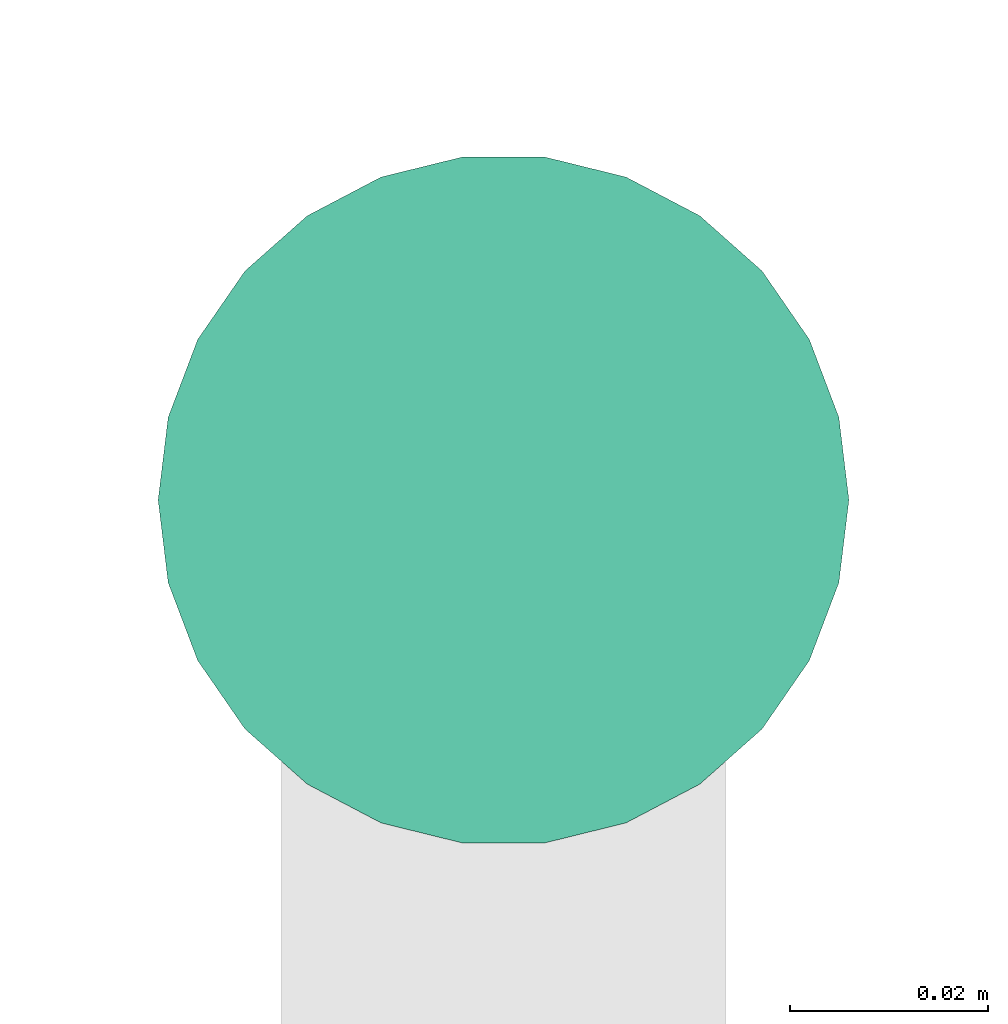
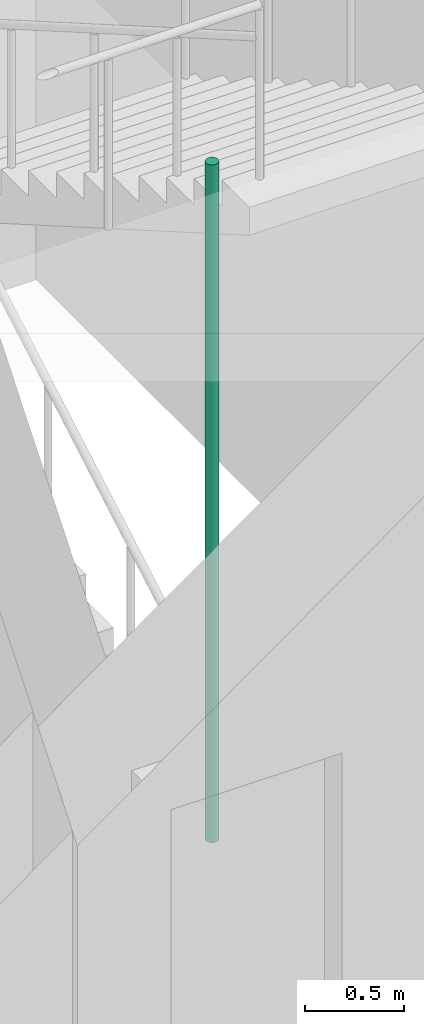
# One storey, part 23 of 26: 1 pipe segment.
"""IFC4 building model written with IfcOpenShell, lengths in metres."""

from ifc_helpers import new_model, si_unit, direction, frame, origin, origin_2d, place, context, subcontext, project, spatial, circle, extrude, element, save


model = new_model("IFC4")

# Units and contexts
model_context = context("Model", 3, precision=1e-05, world=origin(), true_north=direction((0.0, 1.0)))
body_context = subcontext(model_context, "Body", "Model", "MODEL_VIEW")
ifc_project = project(units=[si_unit("LENGTHUNIT", "METRE"), si_unit("AREAUNIT", "SQUARE_METRE"), si_unit("VOLUMEUNIT", "CUBIC_METRE"), si_unit("PLANEANGLEUNIT", "RADIAN"), si_unit("MASSUNIT", "GRAM", prefix="KILO")], contexts=[model_context])

# Site, building, storey
site_placement = place(None, origin())
site = spatial("IfcSite", under=ifc_project, at=site_placement, CompositionType="ELEMENT")
building_placement = place(site_placement, origin())
building = spatial("IfcBuilding", under=site, at=building_placement, Name="Nzadi Deep Aquarium and Research Tower", CompositionType="ELEMENT")
storey_placement = place(building_placement, frame((0.0, 0.0, 78.10009765625)))
storey = spatial("IfcBuildingStorey", under=building, at=storey_placement, Name="L16", CompositionType="ELEMENT", Elevation=78.10009765625)

# Pipe segment
pipe_segment_placement = place(storey_placement, frame((25.10009765625, 13.719970703125, 0.0), z_axis=(0.0, 0.0, 1.0), x_axis=(1.0, 0.0, 0.0)))
element("IfcPipeSegment", 1, at=pipe_segment_placement, inside=storey, Name="Dry riser ST-Z1-SE L16", PredefinedType="RIGIDSEGMENT", context=body_context, shape_type="SweptSolid", body=[
    extrude(circle(Radius=0.034912109375, at=origin_2d()), origin(), (0.0, 0.0, 1.0), 4.199951171875),
])

save(model, "model.ifc")
